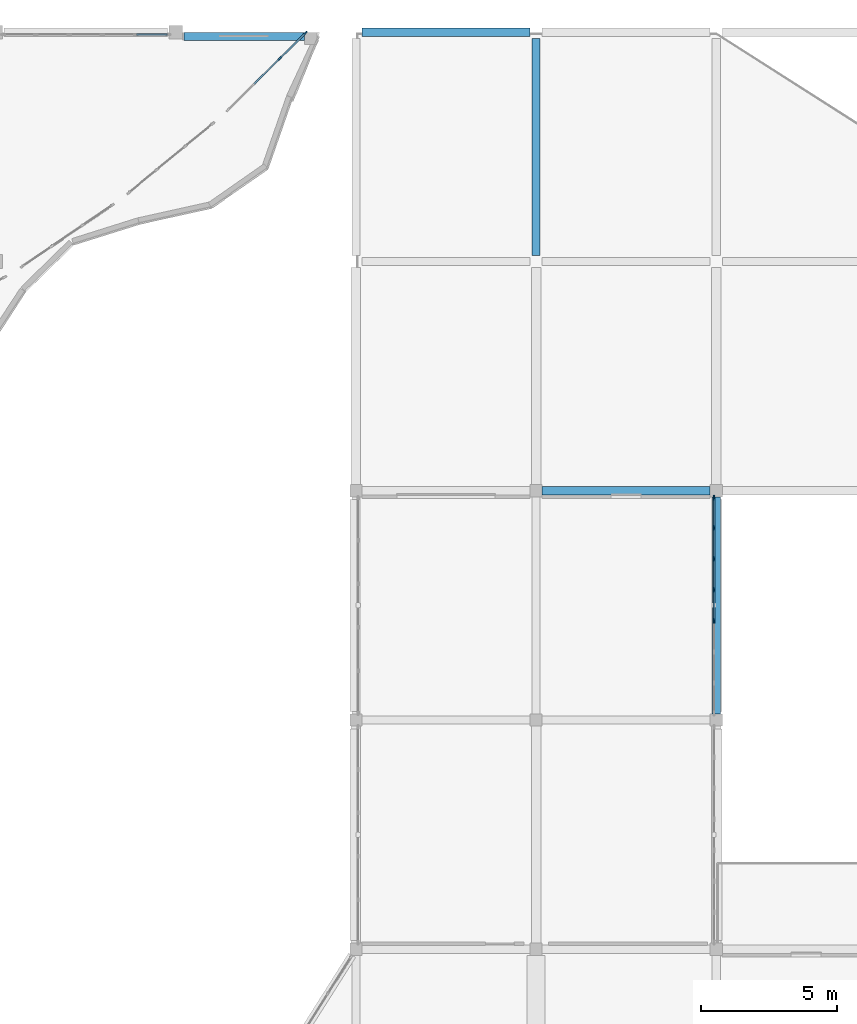
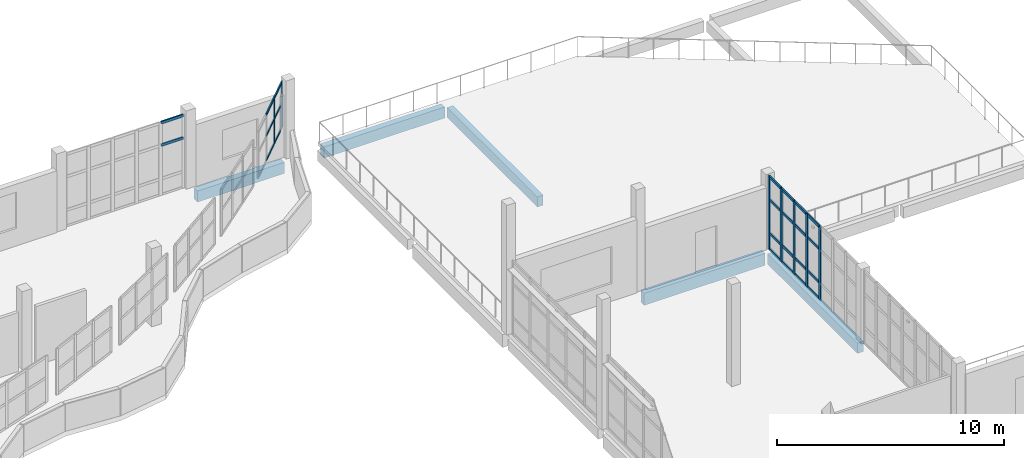
# One storey, part 38 of 78: 31 members, 5 beams, 3 elements without a shape of their own.
"""IFC4 building model written with IfcOpenShell, lengths in metres."""

from ifc_helpers import new_model, si_unit, direction, frame, origin, origin_2d, place, context, subcontext, project, spatial, rectangle, extrude, material, material_profile, profile_set, type_object, element, aggregate, save


model = new_model("IFC4")

# Units and contexts
model_context = context("Model", 3, precision=1e-05, world=origin(), true_north=direction((0.0, 1.0)))
body_context = subcontext(model_context, "Body", "Model", "MODEL_VIEW")
ifc_project = project(units=[si_unit("LENGTHUNIT", "METRE"), si_unit("AREAUNIT", "SQUARE_METRE"), si_unit("VOLUMEUNIT", "CUBIC_METRE"), si_unit("PLANEANGLEUNIT", "RADIAN"), si_unit("MASSUNIT", "GRAM", prefix="KILO")], contexts=[model_context])

# Site, building, storey
site_placement = place(None, origin())
site = spatial("IfcSite", under=ifc_project, at=site_placement, CompositionType="ELEMENT")
building_placement = place(site_placement, origin())
building = spatial("IfcBuilding", under=site, at=building_placement, Name="Qaldarim Faculty of Natural and Applied Sciences", CompositionType="ELEMENT")
storey_placement = place(building_placement, frame((0.0, 0.0, 18.60009765625)))
storey = spatial("IfcBuildingStorey", under=building, at=storey_placement, Name="L04", CompositionType="ELEMENT", Elevation=18.60009765625)

# Beams
ifc_material_1 = material(Name="Concrete C40/50", Category="concrete")
ifc_material_profile_1 = material_profile(ifc_material_1, rectangle(XDim=0.300048828125, YDim=0.550048828125, at=origin_2d()), Name="RC-B300x550")
ifc_profile_set_1 = profile_set([ifc_material_profile_1], Name="Concrete C40/50")
beam_type_1 = type_object("IfcBeamType", Name="FloorBeam-RC300x550", PredefinedType="BEAM", material=ifc_profile_set_1)
for number, where, z_axis, x_axis, name in (
    (1, (158.39990234375, 109.425048828125, -0.53515625), (0.0, 1.0, 0.0), (-1.0, 0.0, 0.0), "Beam RC-B300x550 L03 X25/Y14-Y15"),
    (2, (165.0, 92.625, -0.53515625), (0.0, 1.0, 0.0), (-1.0, 0.0, 0.0), "Beam RC-B300x550 L03 X26/Y12-Y13"),
):
    element("IfcBeam", number, at=place(storey_placement, frame(where, z_axis=z_axis, x_axis=x_axis)), inside=storey, type_object=beam_type_1, Name=name, PredefinedType="BEAM", context=body_context, shape_type="SweptSolid", body=[
        extrude(rectangle(XDim=0.300048828125, YDim=0.550048828125, at=origin_2d()), origin(), (0.0, 0.0, 1.0), 7.949951171875),
    ])

# Curtain wall, members
ifc_material_2 = material(Name="Anodised aluminium AW-6063", Category="aluminium")
curtain_wall_type_1 = type_object("IfcCurtainWallType", Name="CurtainWallSystem-M1400", PredefinedType="USERDEFINED", material=ifc_material_2)
curtain_wall_1_placement = place(storey_placement, origin())
curtain_wall_1 = element("IfcCurtainWall", 3, at=curtain_wall_1_placement, inside=storey, type_object=curtain_wall_type_1, Name="Curtain wall CW-V4ARC-L04-16", ObjectType="STICK CURTAIN WALL", PredefinedType="USERDEFINED")
ifc_material_profile_2 = material_profile(ifc_material_2, rectangle(XDim=0.06005859375, YDim=0.14990234375, at=origin_2d()), Name="ALU-M60x150")
ifc_profile_set_2 = profile_set([ifc_material_profile_2], Name="Anodised aluminium AW-6063")
member_type_1 = type_object("IfcMemberType", Name="Mullion-ALU60x150", PredefinedType="MULLION", material=ifc_profile_set_2)
member_1_placement = place(storey_placement, frame((149.01171875, 116.639892578125, 1.449951171875), z_axis=(0.0, 0.0, 1.0), x_axis=(-0.704014724456, 0.710185375623, 0.0)))
member_1 = element("IfcMember", 4, at=member_1_placement, type_object=member_type_1, Name="Mullion 3 of CW-V4ARC-L04-16", PredefinedType="MULLION", context=body_context, shape_type="SweptSolid", body=[
    extrude(rectangle(XDim=0.06005859375, YDim=0.14990234375, at=origin_2d()), origin(), (0.0, 0.0, 1.0), 2.489990234375),
])
member_2_placement = place(storey_placement, frame((149.94873046875, 117.56884765625, 1.449951171875), z_axis=(0.0, 0.0, 1.0), x_axis=(-0.704014724456, 0.710185375623, 0.0)))
member_2 = element("IfcMember", 5, at=member_2_placement, type_object=member_type_1, Name="Mullion 4 of CW-V4ARC-L04-16", PredefinedType="MULLION", context=body_context, shape_type="SweptSolid", body=[
    extrude(rectangle(XDim=0.06005859375, YDim=0.14990234375, at=origin_2d()), origin(), (0.0, 0.0, 1.0), 2.489990234375),
])

curtain_wall_type_2 = type_object("IfcCurtainWallType", Name="CurtainWallSystem-M1200", PredefinedType="USERDEFINED", material=ifc_material_2)
curtain_wall_2_placement = place(storey_placement, origin())
curtain_wall_2 = element("IfcCurtainWall", 6, at=curtain_wall_2_placement, inside=storey, type_object=curtain_wall_type_2, Name="Curtain wall CW-L04-E-X25Y12", ObjectType="STICK CURTAIN WALL", PredefinedType="USERDEFINED")
ifc_material_profile_3 = material_profile(ifc_material_2, rectangle(XDim=0.070068359375, YDim=0.179931640625, at=origin_2d()), Name="ALU-M70x180")
ifc_profile_set_3 = profile_set([ifc_material_profile_3], Name="Anodised aluminium AW-6063")
member_type_2 = type_object("IfcMemberType", Name="Mullion-ALU70x180", PredefinedType="MULLION", material=ifc_profile_set_3)
member_3_placement = place(storey_placement, frame((164.919921875, 96.031494140625, 0.0), z_axis=(0.0, 0.0, 1.0), x_axis=(-1.0, 0.0, 0.0)))
member_3 = element("IfcMember", 7, at=member_3_placement, type_object=member_type_2, Name="Mullion 4 of CW-L04-E-X25Y12", PredefinedType="MULLION", context=body_context, shape_type="SweptSolid", body=[
    extrude(rectangle(XDim=0.070068359375, YDim=0.179931640625, at=origin_2d()), origin(), (0.0, 0.0, 1.0), 3.93994140625),
])
member_4_placement = place(storey_placement, frame((164.919921875, 97.168701171875, 0.0), z_axis=(0.0, 0.0, 1.0), x_axis=(-1.0, 0.0, 0.0)))
member_4 = element("IfcMember", 8, at=member_4_placement, type_object=member_type_2, Name="Mullion 5 of CW-L04-E-X25Y12", PredefinedType="MULLION", context=body_context, shape_type="SweptSolid", body=[
    extrude(rectangle(XDim=0.070068359375, YDim=0.179931640625, at=origin_2d()), origin(), (0.0, 0.0, 1.0), 3.93994140625),
])
member_5_placement = place(storey_placement, frame((164.919921875, 98.3056640625, 0.0), z_axis=(0.0, 0.0, 1.0), x_axis=(-1.0, 0.0, 0.0)))
member_5 = element("IfcMember", 9, at=member_5_placement, type_object=member_type_2, Name="Mullion 6 of CW-L04-E-X25Y12", PredefinedType="MULLION", context=body_context, shape_type="SweptSolid", body=[
    extrude(rectangle(XDim=0.070068359375, YDim=0.179931640625, at=origin_2d()), origin(), (0.0, 0.0, 1.0), 3.93994140625),
])
member_6_placement = place(storey_placement, frame((164.919921875, 99.44287109375, 0.0), z_axis=(0.0, 0.0, 1.0), x_axis=(-1.0, 0.0, 0.0)))
member_6 = element("IfcMember", 10, at=member_6_placement, type_object=member_type_2, Name="Mullion 7 of CW-L04-E-X25Y12", PredefinedType="MULLION", context=body_context, shape_type="SweptSolid", body=[
    extrude(rectangle(XDim=0.070068359375, YDim=0.179931640625, at=origin_2d()), origin(), (0.0, 0.0, 1.0), 3.93994140625),
])
member_7_placement = place(storey_placement, frame((164.919921875, 100.544921875, 0.0), z_axis=(0.0, 0.0, 1.0), x_axis=(-1.0, 0.0, 0.0)))
member_7 = element("IfcMember", 11, at=member_7_placement, type_object=member_type_2, Name="Mullion 8 of CW-L04-E-X25Y12", PredefinedType="MULLION", context=body_context, shape_type="SweptSolid", body=[
    extrude(rectangle(XDim=0.070068359375, YDim=0.179931640625, at=origin_2d()), origin(), (0.0, 0.0, 1.0), 3.93994140625),
])

# Beams
ifc_material_profile_4 = material_profile(ifc_material_1, rectangle(XDim=0.300048828125, YDim=0.64990234375, at=origin_2d()), Name="RC-B300x650")
ifc_profile_set_4 = profile_set([ifc_material_profile_4], Name="Concrete C40/50")
beam_type_2 = type_object("IfcBeamType", Name="PrimaryBeam-RC300x650", PredefinedType="BEAM", material=ifc_profile_set_4)
beam_1_placement = place(storey_placement, frame((158.625, 100.800048828125, -0.585205078125), z_axis=(1.0, 0.0, 0.0), x_axis=(0.0, 1.0, 0.0)))
element("IfcBeam", 12, at=beam_1_placement, inside=storey, type_object=beam_type_2, Name="Beam RC-B300x650 L03 X25-X26/Y13", PredefinedType="BEAM", context=body_context, shape_type="SweptSolid", body=[
    extrude(rectangle(XDim=0.300048828125, YDim=0.64990234375, at=origin_2d()), origin(), (0.0, 0.0, 1.0), 6.14990234375),
])
ifc_material_3 = material(Name="Precast concrete C40/50", Category="concrete")
ifc_material_profile_5 = material_profile(ifc_material_3, rectangle(XDim=0.300048828125, YDim=0.60009765625, at=origin_2d()), Name="RC-SP300x600")
ifc_profile_set_5 = profile_set([ifc_material_profile_5], Name="Precast concrete C40/50")
beam_type_3 = type_object("IfcBeamType", Name="SpandrelBeam-RC300x600", PredefinedType="SPANDREL", material=ifc_profile_set_5)
beam_2_placement = place(storey_placement, frame((152.02490234375, 117.60009765625, -0.56005859375), z_axis=(1.0, 0.0, 0.0), x_axis=(0.0, 1.0, 0.0)))
element("IfcBeam", 13, at=beam_2_placement, inside=storey, type_object=beam_type_3, Name="Beam RC-SP300x600 L03 X24-X25/Y15", PredefinedType="SPANDREL", context=body_context, shape_type="SweptSolid", body=[
    extrude(rectangle(XDim=0.300048828125, YDim=0.60009765625, at=origin_2d()), origin(), (0.0, 0.0, 1.0), 6.150146484375),
])
beam_3_placement = place(storey_placement, frame((145.5, 117.449951171875, -0.56005859375), z_axis=(1.0, 0.0, 0.0), x_axis=(0.0, 1.0, 0.0)))
element("IfcBeam", 14, at=beam_3_placement, inside=storey, type_object=beam_type_3, Name="Laboratories NE corner perimeter beam L03", PredefinedType="SPANDREL", context=body_context, shape_type="SweptSolid", body=[
    extrude(rectangle(XDim=0.300048828125, YDim=0.60009765625, at=origin_2d()), origin(), (0.0, 0.0, 1.0), 4.425048828125),
])

# Member
ifc_material_profile_6 = material_profile(ifc_material_2, rectangle(XDim=0.06005859375, YDim=0.1201171875, at=origin_2d()), Name="ALU-T60x120")
ifc_profile_set_6 = profile_set([ifc_material_profile_6], Name="Anodised aluminium AW-6063")
member_type_3 = type_object("IfcMemberType", Name="Transom-ALU60x120", PredefinedType="USERDEFINED", material=ifc_profile_set_6)
member_8_placement = place(storey_placement, frame((148.07470703125, 115.711181640625, 1.47998046875), z_axis=(0.710224032192, 0.703975726923, 0.0), x_axis=(-0.703975726923, 0.710224032192, 0.0)))
member_8 = element("IfcMember", 15, at=member_8_placement, type_object=member_type_3, Name="Transom 2-1 of CW-V4ARC-L04-16", ObjectType="TRANSOM", PredefinedType="USERDEFINED", context=body_context, shape_type="SweptSolid", body=[
    extrude(rectangle(XDim=0.06005859375, YDim=0.1201171875, at=origin_2d()), origin(), (0.0, 0.0, 1.0), 1.289306640625),
])

member_9_placement = place(storey_placement, frame((148.07470703125, 115.711181640625, 2.7998046875), z_axis=(0.710224032192, 0.703975726923, 0.0), x_axis=(-0.703975726923, 0.710224032192, 0.0)))
member_9 = element("IfcMember", 16, at=member_9_placement, type_object=member_type_3, Name="Transom 2-2 of CW-V4ARC-L04-16", ObjectType="TRANSOM", PredefinedType="USERDEFINED", context=body_context, shape_type="SweptSolid", body=[
    extrude(rectangle(XDim=0.06005859375, YDim=0.1201171875, at=origin_2d()), origin(), (0.0, 0.0, 1.0), 1.289306640625),
])

member_10_placement = place(storey_placement, frame((148.07470703125, 115.711181640625, 3.909912109375), z_axis=(0.710224032192, 0.703975726923, 0.0), x_axis=(-0.703975726923, 0.710224032192, 0.0)))
member_10 = element("IfcMember", 17, at=member_10_placement, type_object=member_type_3, Name="Transom 2-3 of CW-V4ARC-L04-16", ObjectType="TRANSOM", PredefinedType="USERDEFINED", context=body_context, shape_type="SweptSolid", body=[
    extrude(rectangle(XDim=0.06005859375, YDim=0.1201171875, at=origin_2d()), origin(), (0.0, 0.0, 1.0), 1.289306640625),
])

member_11_placement = place(storey_placement, frame((149.032958984375, 116.6611328125, 1.47998046875), z_axis=(0.71020129579, 0.703998664386, 0.0), x_axis=(-0.703998664386, 0.71020129579, 0.0)))
member_11 = element("IfcMember", 18, at=member_11_placement, type_object=member_type_3, Name="Transom 3-1 of CW-V4ARC-L04-16", ObjectType="TRANSOM", PredefinedType="USERDEFINED", context=body_context, shape_type="SweptSolid", body=[
    extrude(rectangle(XDim=0.06005859375, YDim=0.1201171875, at=origin_2d()), origin(), (0.0, 0.0, 1.0), 1.259521484375),
])

member_12_placement = place(storey_placement, frame((149.032958984375, 116.6611328125, 2.7998046875), z_axis=(0.71020129579, 0.703998664386, 0.0), x_axis=(-0.703998664386, 0.71020129579, 0.0)))
member_12 = element("IfcMember", 19, at=member_12_placement, type_object=member_type_3, Name="Transom 3-2 of CW-V4ARC-L04-16", ObjectType="TRANSOM", PredefinedType="USERDEFINED", context=body_context, shape_type="SweptSolid", body=[
    extrude(rectangle(XDim=0.06005859375, YDim=0.1201171875, at=origin_2d()), origin(), (0.0, 0.0, 1.0), 1.259521484375),
])

member_13_placement = place(storey_placement, frame((149.032958984375, 116.6611328125, 3.909912109375), z_axis=(0.71020129579, 0.703998664386, 0.0), x_axis=(-0.703998664386, 0.71020129579, 0.0)))
member_13 = element("IfcMember", 20, at=member_13_placement, type_object=member_type_3, Name="Transom 3-3 of CW-V4ARC-L04-16", ObjectType="TRANSOM", PredefinedType="USERDEFINED", context=body_context, shape_type="SweptSolid", body=[
    extrude(rectangle(XDim=0.06005859375, YDim=0.1201171875, at=origin_2d()), origin(), (0.0, 0.0, 1.0), 1.259521484375),
])

aggregate(curtain_wall_1, [member_1, member_2, member_8, member_9, member_10, member_11, member_12, member_13])

# Curtain wall, members
curtain_wall_3_placement = place(storey_placement, origin())
curtain_wall_3 = element("IfcCurtainWall", 21, at=curtain_wall_3_placement, inside=storey, type_object=curtain_wall_type_2, Name="Curtain wall CW-L04-N-X22Y14", ObjectType="STICK CURTAIN WALL", PredefinedType="USERDEFINED")
ifc_material_profile_7 = material_profile(ifc_material_2, rectangle(XDim=0.070068359375, YDim=0.139892578125, at=origin_2d()), Name="ALU-T70x140")
ifc_profile_set_7 = profile_set([ifc_material_profile_7], Name="Anodised aluminium AW-6063")
member_type_4 = type_object("IfcMemberType", Name="Transom-ALU70x140", PredefinedType="USERDEFINED", material=ifc_profile_set_7)
member_14_placement = place(storey_placement, frame((144.885009765625, 117.52001953125, 2.699951171875), z_axis=(-1.0, 0.0, 0.0), x_axis=(0.0, -1.0, 0.0)))
member_14 = element("IfcMember", 22, at=member_14_placement, type_object=member_type_4, Name="Transom 1-3 of CW-L04-N-X22Y14", ObjectType="TRANSOM", PredefinedType="USERDEFINED", context=body_context, shape_type="SweptSolid", body=[
    extrude(rectangle(XDim=0.070068359375, YDim=0.139892578125, at=origin_2d()), origin(), (0.0, 0.0, 1.0), 1.116943359375),
])
member_15_placement = place(storey_placement, frame((144.885009765625, 117.52001953125, 3.90478515625), z_axis=(-1.0, 0.0, 0.0), x_axis=(0.0, -1.0, 0.0)))
member_15 = element("IfcMember", 23, at=member_15_placement, type_object=member_type_4, Name="Transom 1-4 of CW-L04-N-X22Y14", ObjectType="TRANSOM", PredefinedType="USERDEFINED", context=body_context, shape_type="SweptSolid", body=[
    extrude(rectangle(XDim=0.070068359375, YDim=0.139892578125, at=origin_2d()), origin(), (0.0, 0.0, 1.0), 1.116943359375),
])
aggregate(curtain_wall_3, [member_14, member_15])

# Member
member_16_placement = place(storey_placement, frame((164.919921875, 96.06640625, 0.034912109375), z_axis=(0.0, 1.0, 0.0), x_axis=(-1.0, 0.0, 0.0)))
member_16 = element("IfcMember", 24, at=member_16_placement, type_object=member_type_4, Name="Transom 4-1 of CW-L04-E-X25Y12", ObjectType="TRANSOM", PredefinedType="USERDEFINED", context=body_context, shape_type="SweptSolid", body=[
    extrude(rectangle(XDim=0.070068359375, YDim=0.139892578125, at=origin_2d()), origin(), (0.0, 0.0, 1.0), 1.067138671875),
])

member_17_placement = place(storey_placement, frame((164.919921875, 96.06640625, 0.89990234375), z_axis=(0.0, 1.0, 0.0), x_axis=(-1.0, 0.0, 0.0)))
member_17 = element("IfcMember", 25, at=member_17_placement, type_object=member_type_4, Name="Transom 4-2 of CW-L04-E-X25Y12", ObjectType="TRANSOM", PredefinedType="USERDEFINED", context=body_context, shape_type="SweptSolid", body=[
    extrude(rectangle(XDim=0.070068359375, YDim=0.139892578125, at=origin_2d()), origin(), (0.0, 0.0, 1.0), 1.067138671875),
])

member_18_placement = place(storey_placement, frame((164.919921875, 96.06640625, 2.699951171875), z_axis=(0.0, 1.0, 0.0), x_axis=(-1.0, 0.0, 0.0)))
member_18 = element("IfcMember", 26, at=member_18_placement, type_object=member_type_4, Name="Transom 4-3 of CW-L04-E-X25Y12", ObjectType="TRANSOM", PredefinedType="USERDEFINED", context=body_context, shape_type="SweptSolid", body=[
    extrude(rectangle(XDim=0.070068359375, YDim=0.139892578125, at=origin_2d()), origin(), (0.0, 0.0, 1.0), 1.067138671875),
])

member_19_placement = place(storey_placement, frame((164.919921875, 96.06640625, 3.90478515625), z_axis=(0.0, 1.0, 0.0), x_axis=(-1.0, 0.0, 0.0)))
member_19 = element("IfcMember", 27, at=member_19_placement, type_object=member_type_4, Name="Transom 4-4 of CW-L04-E-X25Y12", ObjectType="TRANSOM", PredefinedType="USERDEFINED", context=body_context, shape_type="SweptSolid", body=[
    extrude(rectangle(XDim=0.070068359375, YDim=0.139892578125, at=origin_2d()), origin(), (0.0, 0.0, 1.0), 1.067138671875),
])

member_20_placement = place(storey_placement, frame((164.919921875, 97.20361328125, 0.034912109375), z_axis=(0.0, 1.0, 0.0), x_axis=(-1.0, 0.0, 0.0)))
member_20 = element("IfcMember", 28, at=member_20_placement, type_object=member_type_4, Name="Transom 5-1 of CW-L04-E-X25Y12", ObjectType="TRANSOM", PredefinedType="USERDEFINED", context=body_context, shape_type="SweptSolid", body=[
    extrude(rectangle(XDim=0.070068359375, YDim=0.139892578125, at=origin_2d()), origin(), (0.0, 0.0, 1.0), 1.067138671875),
])

member_21_placement = place(storey_placement, frame((164.919921875, 97.20361328125, 0.89990234375), z_axis=(0.0, 1.0, 0.0), x_axis=(-1.0, 0.0, 0.0)))
member_21 = element("IfcMember", 29, at=member_21_placement, type_object=member_type_4, Name="Transom 5-2 of CW-L04-E-X25Y12", ObjectType="TRANSOM", PredefinedType="USERDEFINED", context=body_context, shape_type="SweptSolid", body=[
    extrude(rectangle(XDim=0.070068359375, YDim=0.139892578125, at=origin_2d()), origin(), (0.0, 0.0, 1.0), 1.067138671875),
])

member_22_placement = place(storey_placement, frame((164.919921875, 97.20361328125, 2.699951171875), z_axis=(0.0, 1.0, 0.0), x_axis=(-1.0, 0.0, 0.0)))
member_22 = element("IfcMember", 30, at=member_22_placement, type_object=member_type_4, Name="Transom 5-3 of CW-L04-E-X25Y12", ObjectType="TRANSOM", PredefinedType="USERDEFINED", context=body_context, shape_type="SweptSolid", body=[
    extrude(rectangle(XDim=0.070068359375, YDim=0.139892578125, at=origin_2d()), origin(), (0.0, 0.0, 1.0), 1.067138671875),
])

member_23_placement = place(storey_placement, frame((164.919921875, 97.20361328125, 3.90478515625), z_axis=(0.0, 1.0, 0.0), x_axis=(-1.0, 0.0, 0.0)))
member_23 = element("IfcMember", 31, at=member_23_placement, type_object=member_type_4, Name="Transom 5-4 of CW-L04-E-X25Y12", ObjectType="TRANSOM", PredefinedType="USERDEFINED", context=body_context, shape_type="SweptSolid", body=[
    extrude(rectangle(XDim=0.070068359375, YDim=0.139892578125, at=origin_2d()), origin(), (0.0, 0.0, 1.0), 1.067138671875),
])

member_24_placement = place(storey_placement, frame((164.919921875, 98.3408203125, 0.034912109375), z_axis=(0.0, 1.0, 0.0), x_axis=(-1.0, 0.0, 0.0)))
member_24 = element("IfcMember", 32, at=member_24_placement, type_object=member_type_4, Name="Transom 6-1 of CW-L04-E-X25Y12", ObjectType="TRANSOM", PredefinedType="USERDEFINED", context=body_context, shape_type="SweptSolid", body=[
    extrude(rectangle(XDim=0.070068359375, YDim=0.139892578125, at=origin_2d()), origin(), (0.0, 0.0, 1.0), 1.067138671875),
])

member_25_placement = place(storey_placement, frame((164.919921875, 98.3408203125, 0.89990234375), z_axis=(0.0, 1.0, 0.0), x_axis=(-1.0, 0.0, 0.0)))
member_25 = element("IfcMember", 33, at=member_25_placement, type_object=member_type_4, Name="Transom 6-2 of CW-L04-E-X25Y12", ObjectType="TRANSOM", PredefinedType="USERDEFINED", context=body_context, shape_type="SweptSolid", body=[
    extrude(rectangle(XDim=0.070068359375, YDim=0.139892578125, at=origin_2d()), origin(), (0.0, 0.0, 1.0), 1.067138671875),
])

member_26_placement = place(storey_placement, frame((164.919921875, 98.3408203125, 2.699951171875), z_axis=(0.0, 1.0, 0.0), x_axis=(-1.0, 0.0, 0.0)))
member_26 = element("IfcMember", 34, at=member_26_placement, type_object=member_type_4, Name="Transom 6-3 of CW-L04-E-X25Y12", ObjectType="TRANSOM", PredefinedType="USERDEFINED", context=body_context, shape_type="SweptSolid", body=[
    extrude(rectangle(XDim=0.070068359375, YDim=0.139892578125, at=origin_2d()), origin(), (0.0, 0.0, 1.0), 1.067138671875),
])

member_27_placement = place(storey_placement, frame((164.919921875, 98.3408203125, 3.90478515625), z_axis=(0.0, 1.0, 0.0), x_axis=(-1.0, 0.0, 0.0)))
member_27 = element("IfcMember", 35, at=member_27_placement, type_object=member_type_4, Name="Transom 6-4 of CW-L04-E-X25Y12", ObjectType="TRANSOM", PredefinedType="USERDEFINED", context=body_context, shape_type="SweptSolid", body=[
    extrude(rectangle(XDim=0.070068359375, YDim=0.139892578125, at=origin_2d()), origin(), (0.0, 0.0, 1.0), 1.067138671875),
])

member_28_placement = place(storey_placement, frame((164.919921875, 99.477783203125, 0.034912109375), z_axis=(0.0, 1.0, 0.0), x_axis=(-1.0, 0.0, 0.0)))
member_28 = element("IfcMember", 36, at=member_28_placement, type_object=member_type_4, Name="Transom 7-1 of CW-L04-E-X25Y12", ObjectType="TRANSOM", PredefinedType="USERDEFINED", context=body_context, shape_type="SweptSolid", body=[
    extrude(rectangle(XDim=0.070068359375, YDim=0.139892578125, at=origin_2d()), origin(), (0.0, 0.0, 1.0), 1.0322265625),
])

member_29_placement = place(storey_placement, frame((164.919921875, 99.477783203125, 0.89990234375), z_axis=(0.0, 1.0, 0.0), x_axis=(-1.0, 0.0, 0.0)))
member_29 = element("IfcMember", 37, at=member_29_placement, type_object=member_type_4, Name="Transom 7-2 of CW-L04-E-X25Y12", ObjectType="TRANSOM", PredefinedType="USERDEFINED", context=body_context, shape_type="SweptSolid", body=[
    extrude(rectangle(XDim=0.070068359375, YDim=0.139892578125, at=origin_2d()), origin(), (0.0, 0.0, 1.0), 1.0322265625),
])

member_30_placement = place(storey_placement, frame((164.919921875, 99.477783203125, 2.699951171875), z_axis=(0.0, 1.0, 0.0), x_axis=(-1.0, 0.0, 0.0)))
member_30 = element("IfcMember", 38, at=member_30_placement, type_object=member_type_4, Name="Transom 7-3 of CW-L04-E-X25Y12", ObjectType="TRANSOM", PredefinedType="USERDEFINED", context=body_context, shape_type="SweptSolid", body=[
    extrude(rectangle(XDim=0.070068359375, YDim=0.139892578125, at=origin_2d()), origin(), (0.0, 0.0, 1.0), 1.0322265625),
])

member_31_placement = place(storey_placement, frame((164.919921875, 99.477783203125, 3.90478515625), z_axis=(0.0, 1.0, 0.0), x_axis=(-1.0, 0.0, 0.0)))
member_31 = element("IfcMember", 39, at=member_31_placement, type_object=member_type_4, Name="Transom 7-4 of CW-L04-E-X25Y12", ObjectType="TRANSOM", PredefinedType="USERDEFINED", context=body_context, shape_type="SweptSolid", body=[
    extrude(rectangle(XDim=0.070068359375, YDim=0.139892578125, at=origin_2d()), origin(), (0.0, 0.0, 1.0), 1.0322265625),
])

aggregate(curtain_wall_2, [member_3, member_4, member_5, member_6, member_7, member_16, member_17, member_18, member_19, member_20, member_21, member_22, member_23, member_24, member_25, member_26, member_27, member_28, member_29, member_30, member_31])

save(model, "model.ifc")
